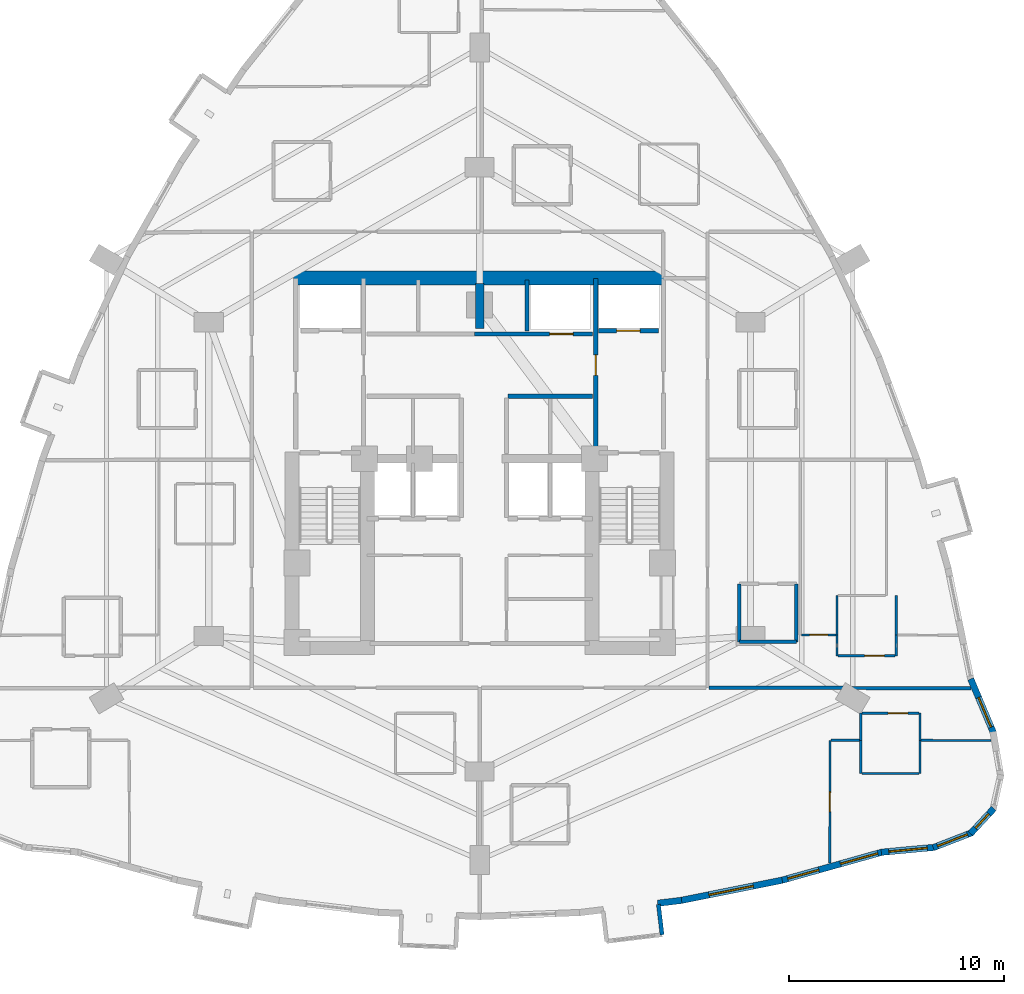
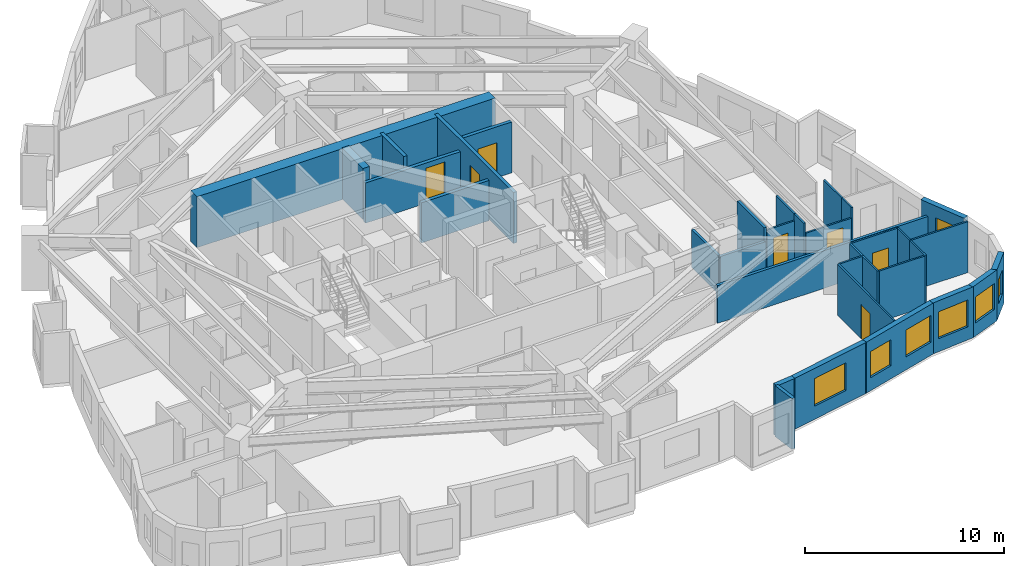
# One storey, part 9 of 13: 34 walls, 7 doors, 7 windows, 14 openings.
"""IFC4 building model written with IfcOpenShell, lengths in metres."""

from ifc_helpers import new_model, si_unit, direction, frame, frame_2d, origin, place, context, subcontext, project, spatial, rectangle, extrude, material, layer, layer_set, type_object, element, fill, save


model = new_model("IFC4")

# Units and contexts
model_context = context("Model", 3, precision=1e-05, world=origin(), true_north=direction((0.0, 1.0)))
body_context = subcontext(model_context, "Body", "Model", "MODEL_VIEW")
ifc_project = project(units=[si_unit("LENGTHUNIT", "METRE"), si_unit("AREAUNIT", "SQUARE_METRE"), si_unit("VOLUMEUNIT", "CUBIC_METRE"), si_unit("PLANEANGLEUNIT", "RADIAN"), si_unit("MASSUNIT", "GRAM", prefix="KILO")], contexts=[model_context])

# Site, building, storey
site_placement = place(None, origin())
site = spatial("IfcSite", under=ifc_project, at=site_placement, CompositionType="ELEMENT")
building_placement = place(site_placement, origin())
building = spatial("IfcBuilding", under=site, at=building_placement, Name="Miruveldt Soraemaru", CompositionType="ELEMENT")
storey_placement = place(building_placement, frame((0.0, 0.0, 73.39990234375)))
storey = spatial("IfcBuildingStorey", under=building, at=storey_placement, Name="L20", CompositionType="ELEMENT", Elevation=73.39990234375)

# Walls
ifc_material_1 = material(Name="White powder-coated aluminium EN AW-6060 T6", Category="aluminium")
ifc_layer_1 = layer(ifc_material_1, 0.18994140625, Name="White powder-coated aluminium EN AW-6060 T6", Category="aluminium")
ifc_layer_set_1 = layer_set([ifc_layer_1], Name="White powder-coated aluminium EN AW-6060 T6")
wall_type_1 = type_object("IfcWallType", Name="WALL-BAY-ALU190", PredefinedType="SOLIDWALL", material=ifc_layer_set_1)
wall_1_placement = place(storey_placement, frame((52.48681640625, 21.901123046875, 0.0), z_axis=(0.0, 0.0, 1.0), x_axis=(-0.119057405757, 0.992887372331, 0.0)))
element("IfcWall", 1, at=wall_1_placement, inside=storey, type_object=wall_type_1, Name="L20 Bay Window Side Cheek 5R", PredefinedType="SOLIDWALL", context=body_context, shape_type="SweptSolid", body=[
    extrude(rectangle(XDim=1.42529296875, YDim=0.18994140625, at=frame_2d((0.712646484375, 0.0))), origin(), (0.0, 0.0, 1.0), 3.125),
])
ifc_material_2 = material(Name="Concrete C70/85 (70 MPa)", Category="concrete")
ifc_layer_2 = layer(ifc_material_2, 0.5, Name="Concrete C70/85 (70 MPa)", Category="concrete")
ifc_layer_set_2 = layer_set([ifc_layer_2], Name="Concrete C70/85 (70 MPa)")
wall_type_2 = type_object("IfcWallType", Name="WALL-BW-500", PredefinedType="SHEAR", material=ifc_layer_set_2)
wall_2_placement = place(storey_placement, frame((44.0, 50.10009765625, 0.0), z_axis=(0.0, 0.0, 1.0), x_axis=(0.0, 1.0, 0.0)))
element("IfcWall", 2, at=wall_2_placement, inside=storey, type_object=wall_type_2, Name="L20 Core Buttress Shear Wall BN", PredefinedType="SHEAR", context=body_context, shape_type="SweptSolid", body=[
    extrude(rectangle(XDim=2.099853515625, YDim=0.39990234375, at=frame_2d((1.0498046875, 0.0))), origin(), (0.0, 0.0, 1.0), 3.125),
])
ifc_material_3 = material(Name="Concrete C80/95 (80 MPa)", Category="concrete")
ifc_layer_3 = layer(ifc_material_3, 0.64990234375, Name="Concrete C80/95 (80 MPa)", Category="concrete")
ifc_layer_set_3 = layer_set([ifc_layer_3], Name="Concrete C80/95 (80 MPa)")
wall_type_3 = type_object("IfcWallType", Name="WALL-CW-650", PredefinedType="SHEAR", material=ifc_layer_set_3)
wall_3_placement = place(storey_placement, frame((35.35009765625, 52.449951171875, 0.0), z_axis=(0.0, 0.0, 1.0), x_axis=(1.0, 0.0, 0.0)))
element("IfcWall", 3, at=wall_3_placement, inside=storey, type_object=wall_type_3, Name="L20 Central Core Shear Wall N", PredefinedType="SHEAR", context=body_context, shape_type="SweptSolid", body=[
    extrude(rectangle(XDim=17.2998046875, YDim=0.64990234375, at=frame_2d((8.64990234375, 0.0))), origin(), (0.0, 0.0, 1.0), 3.125),
])
ifc_material_4 = material(Name="Precast concrete C45/55 (45 MPa)", Category="concrete")
ifc_layer_4 = layer(ifc_material_4, 0.300048828125, Name="Precast concrete C45/55 (45 MPa)", Category="concrete")
ifc_layer_set_4 = layer_set([ifc_layer_4], Name="Precast concrete C45/55 (45 MPa)")
wall_type_4 = type_object("IfcWallType", Name="WALL-EXT-PC300", PredefinedType="SOLIDWALL", material=ifc_layer_set_4)
wall_4_placement = place(storey_placement, frame((52.28076171875, 23.3671875, 0.0), z_axis=(0.0, 0.0, 1.0), x_axis=(0.992888162429, 0.119050816495, 0.0)))
element("IfcWall", 4, at=wall_4_placement, inside=storey, type_object=wall_type_4, Name="L20 Precast Pier Wall 26B", PredefinedType="SOLIDWALL", context=body_context, shape_type="SweptSolid", body=[
    extrude(rectangle(XDim=1.121826171875, YDim=0.300048828125, at=frame_2d((0.56103515625, 0.0))), origin(), (0.0, 0.0, 1.0), 3.125),
])

# Wall, opening, window
wall_5_placement = place(storey_placement, frame((53.325439453125, 23.48974609375, 0.0), z_axis=(0.0, 0.0, 1.0), x_axis=(0.980580675691, 0.196116135138, 0.0)))
wall_5 = element("IfcWall", 5, at=wall_5_placement, inside=storey, type_object=wall_type_4, Name="L20 Precast Concrete Facade Wall 27", PredefinedType="SOLIDWALL", context=body_context, shape_type="SweptSolid", body=[
    extrude(rectangle(XDim=4.842529296875, YDim=0.300048828125, at=frame_2d((2.42138671875, 0.0))), origin(), (0.0, 0.0, 1.0), 3.125),
])
opening_1_placement = place(wall_5_placement, frame((1.37109375, 0.0, 0.800048828125)))
opening_1 = element("IfcOpeningElement", 6, at=opening_1_placement, cuts=wall_5, Name="Opening WN-1", PredefinedType="OPENING", context=body_context, shape_type="SweptSolid", body=[
    extrude(rectangle(XDim=2.10009765625, YDim=1.699951171875, at=frame_2d((1.050048828125, 0.85009765625))), frame((0.0, 0.16015625, 0.0), z_axis=(0.0, -1.0, 0.0), x_axis=(1.0, 0.0, 0.0)), (0.0, 0.0, 1.0), 0.320068359375),
])
ifc_material_5 = material(Name="Triple low-e insulated glazing", Category="glass")
window_type_1 = type_object("IfcWindowType", Name="WIN-PUNCH-2100x1700", PartitioningType="SINGLE_PANEL", PredefinedType="WINDOW", material=ifc_material_5)
window_1_placement = place(opening_1_placement, origin())
window_1 = element("IfcWindow", 7, at=window_1_placement, inside=storey, type_object=window_type_1, Name="L20 Punched Triple-Glazed Window 27.1", OverallHeight=1.699951171875, OverallWidth=2.10009765625, PartitioningType="SINGLE_PANEL", PredefinedType="WINDOW", context=body_context, shape_type="SweptSolid", body=[
    extrude(rectangle(XDim=2.10009765625, YDim=1.699951171875, at=frame_2d((1.050048828125, 0.85009765625))), frame((0.0, 0.030029296875, 0.0), z_axis=(0.0, -1.0, 0.0), x_axis=(1.0, 0.0, 0.0)), (0.0, 0.0, 1.0), 0.06005859375),
])
fill(opening_1, window_1)

# Wall, openings, windows
wall_6_placement = place(storey_placement, frame((58.006103515625, 24.423095703125, 0.0), z_axis=(0.0, 0.0, 1.0), x_axis=(0.962958876285, 0.269648294234, 0.0)))
wall_6 = element("IfcWall", 8, at=wall_6_placement, inside=storey, type_object=wall_type_4, Name="L20 Precast Concrete Facade Wall 28", PredefinedType="SOLIDWALL", context=body_context, shape_type="SweptSolid", body=[
    extrude(rectangle(XDim=4.929931640625, YDim=0.300048828125, at=frame_2d((2.46484375, 0.0))), origin(), (0.0, 0.0, 1.0), 3.125),
])
opening_2_placement = place(wall_6_placement, frame((0.3359375, 0.0, 0.800048828125)))
opening_2 = element("IfcOpeningElement", 9, at=opening_2_placement, cuts=wall_6, Name="Opening WN-3", PredefinedType="OPENING", context=body_context, shape_type="SweptSolid", body=[
    extrude(rectangle(XDim=1.5, YDim=1.60009765625, at=frame_2d((0.75, 0.800048828125))), frame((0.0, 0.16015625, 0.0), z_axis=(0.0, -1.0, 0.0), x_axis=(1.0, 0.0, 0.0)), (0.0, 0.0, 1.0), 0.320068359375),
])
opening_3_placement = place(wall_6_placement, frame((2.889892578125, 0.0, 0.800048828125)))
opening_3 = element("IfcOpeningElement", 10, at=opening_3_placement, cuts=wall_6, Name="Opening WN-2", PredefinedType="OPENING", context=body_context, shape_type="SweptSolid", body=[
    extrude(rectangle(XDim=1.800048828125, YDim=1.64990234375, at=frame_2d((0.89990234375, 0.824951171875))), frame((0.0, 0.16015625, 0.0), z_axis=(0.0, -1.0, 0.0), x_axis=(1.0, 0.0, 0.0)), (0.0, 0.0, 1.0), 0.320068359375),
])
window_type_2 = type_object("IfcWindowType", Name="WIN-PUNCH-1500x1600", PartitioningType="SINGLE_PANEL", PredefinedType="WINDOW", material=ifc_material_5)
window_2_placement = place(opening_2_placement, origin())
window_2 = element("IfcWindow", 11, at=window_2_placement, inside=storey, type_object=window_type_2, Name="L20 Punched Triple-Glazed Window 28.1", OverallHeight=1.60009765625, OverallWidth=1.5, PartitioningType="SINGLE_PANEL", PredefinedType="WINDOW", context=body_context, shape_type="SweptSolid", body=[
    extrude(rectangle(XDim=1.5, YDim=1.60009765625, at=frame_2d((0.75, 0.800048828125))), frame((0.0, 0.030029296875, 0.0), z_axis=(0.0, -1.0, 0.0), x_axis=(1.0, 0.0, 0.0)), (0.0, 0.0, 1.0), 0.06005859375),
])
fill(opening_2, window_2)
window_type_3 = type_object("IfcWindowType", Name="WIN-PUNCH-1800x1650", PartitioningType="SINGLE_PANEL", PredefinedType="WINDOW", material=ifc_material_5)
window_3_placement = place(opening_3_placement, origin())
window_3 = element("IfcWindow", 12, at=window_3_placement, inside=storey, type_object=window_type_3, Name="L20 Punched Triple-Glazed Window 28.2", OverallHeight=1.64990234375, OverallWidth=1.800048828125, PartitioningType="SINGLE_PANEL", PredefinedType="WINDOW", context=body_context, shape_type="SweptSolid", body=[
    extrude(rectangle(XDim=1.800048828125, YDim=1.64990234375, at=frame_2d((0.89990234375, 0.824951171875))), frame((0.0, 0.030029296875, 0.0), z_axis=(0.0, -1.0, 0.0), x_axis=(1.0, 0.0, 0.0)), (0.0, 0.0, 1.0), 0.06005859375),
])
fill(opening_3, window_3)

# Wall, opening, window
wall_7_placement = place(storey_placement, frame((62.684814453125, 25.73974609375, 0.0), z_axis=(0.0, 0.0, 1.0), x_axis=(0.995758957766, 0.09200053276, 0.0)))
wall_7 = element("IfcWall", 13, at=wall_7_placement, inside=storey, type_object=wall_type_4, Name="L20 Precast Concrete Facade Wall 29", PredefinedType="SOLIDWALL", context=body_context, shape_type="SweptSolid", body=[
    extrude(rectangle(XDim=2.494384765625, YDim=0.300048828125, at=frame_2d((1.2470703125, 0.0))), origin(), (0.0, 0.0, 1.0), 3.125),
])
opening_4_placement = place(wall_7_placement, frame((0.347900390625, 0.0, 0.800048828125)))
opening_4 = element("IfcOpeningElement", 14, at=opening_4_placement, cuts=wall_7, Name="Opening WN-2", PredefinedType="OPENING", context=body_context, shape_type="SweptSolid", body=[
    extrude(rectangle(XDim=1.800048828125, YDim=1.64990234375, at=frame_2d((0.89990234375, 0.824951171875))), frame((0.0, 0.16015625, 0.0), z_axis=(0.0, -1.0, 0.0), x_axis=(1.0, 0.0, 0.0)), (0.0, 0.0, 1.0), 0.320068359375),
])
window_4_placement = place(opening_4_placement, origin())
window_4 = element("IfcWindow", 15, at=window_4_placement, inside=storey, type_object=window_type_3, Name="L20 Punched Triple-Glazed Window 29.1", OverallHeight=1.64990234375, OverallWidth=1.800048828125, PartitioningType="SINGLE_PANEL", PredefinedType="WINDOW", context=body_context, shape_type="SweptSolid", body=[
    extrude(rectangle(XDim=1.800048828125, YDim=1.64990234375, at=frame_2d((0.89990234375, 0.824951171875))), frame((0.0, 0.030029296875, 0.0), z_axis=(0.0, -1.0, 0.0), x_axis=(1.0, 0.0, 0.0)), (0.0, 0.0, 1.0), 0.06005859375),
])
fill(opening_4, window_4)

wall_8_placement = place(storey_placement, frame((65.101318359375, 25.953369140625, 0.0), z_axis=(0.0, 0.0, 1.0), x_axis=(0.93228604446, 0.361721897741, 0.0)))
wall_8 = element("IfcWall", 16, at=wall_8_placement, inside=storey, type_object=wall_type_4, Name="L20 Precast Concrete Facade Wall 30", PredefinedType="SOLIDWALL", context=body_context, shape_type="SweptSolid", body=[
    extrude(rectangle(XDim=1.91943359375, YDim=0.300048828125, at=frame_2d((0.959716796875, 0.0))), origin(), (0.0, 0.0, 1.0), 3.125),
])
opening_5_placement = place(wall_8_placement, frame((0.2099609375, 0.0, 0.800048828125)))
opening_5 = element("IfcOpeningElement", 17, at=opening_5_placement, cuts=wall_8, Name="Opening WN-3", PredefinedType="OPENING", context=body_context, shape_type="SweptSolid", body=[
    extrude(rectangle(XDim=1.5, YDim=1.60009765625, at=frame_2d((0.75, 0.800048828125))), frame((0.0, 0.16015625, 0.0), z_axis=(0.0, -1.0, 0.0), x_axis=(1.0, 0.0, 0.0)), (0.0, 0.0, 1.0), 0.320068359375),
])
window_5_placement = place(opening_5_placement, origin())
window_5 = element("IfcWindow", 18, at=window_5_placement, inside=storey, type_object=window_type_2, Name="L20 Punched Triple-Glazed Window 30.1", OverallHeight=1.60009765625, OverallWidth=1.5, PartitioningType="SINGLE_PANEL", PredefinedType="WINDOW", context=body_context, shape_type="SweptSolid", body=[
    extrude(rectangle(XDim=1.5, YDim=1.60009765625, at=frame_2d((0.75, 0.800048828125))), frame((0.0, 0.030029296875, 0.0), z_axis=(0.0, -1.0, 0.0), x_axis=(1.0, 0.0, 0.0)), (0.0, 0.0, 1.0), 0.06005859375),
])
fill(opening_5, window_5)

wall_9_placement = place(storey_placement, frame((66.83447265625, 26.609375, 0.0), z_axis=(0.0, 0.0, 1.0), x_axis=(0.680145025321, 0.733077584251, 0.0)))
wall_9 = element("IfcWall", 19, at=wall_9_placement, inside=storey, type_object=wall_type_4, Name="L20 Precast Concrete Facade Wall 31", PredefinedType="SOLIDWALL", context=body_context, shape_type="SweptSolid", body=[
    extrude(rectangle(XDim=1.59130859375, YDim=0.300048828125, at=frame_2d((0.795654296875, 0.0))), origin(), (0.0, 0.0, 1.0), 3.125),
])
opening_6_placement = place(wall_9_placement, frame((0.344970703125, 0.0, 0.780029296875)))
opening_6 = element("IfcOpeningElement", 20, at=opening_6_placement, cuts=wall_9, Name="Opening WN-7", PredefinedType="OPENING", context=body_context, shape_type="SweptSolid", body=[
    extrude(rectangle(XDim=0.89990234375, YDim=1.5, at=frame_2d((0.449951171875, 0.75))), frame((0.0, 0.16015625, 0.0), z_axis=(0.0, -1.0, 0.0), x_axis=(1.0, 0.0, 0.0)), (0.0, 0.0, 1.0), 0.320068359375),
])
window_type_4 = type_object("IfcWindowType", Name="WIN-PUNCH-900x1500", PartitioningType="SINGLE_PANEL", PredefinedType="WINDOW", material=ifc_material_5)
window_6_placement = place(opening_6_placement, origin())
window_6 = element("IfcWindow", 21, at=window_6_placement, inside=storey, type_object=window_type_4, Name="L20 Punched Triple-Glazed Window 31.1", OverallHeight=1.5, OverallWidth=0.89990234375, PartitioningType="SINGLE_PANEL", PredefinedType="WINDOW", context=body_context, shape_type="SweptSolid", body=[
    extrude(rectangle(XDim=0.89990234375, YDim=1.5, at=frame_2d((0.449951171875, 0.75))), frame((0.0, 0.030029296875, 0.0), z_axis=(0.0, -1.0, 0.0), x_axis=(1.0, 0.0, 0.0)), (0.0, 0.0, 1.0), 0.06005859375),
])
fill(opening_6, window_6)

wall_10_placement = place(storey_placement, frame((67.906494140625, 31.2861328125, 0.0), z_axis=(0.0, 0.0, 1.0), x_axis=(-0.388672061396, 0.921376160257, 0.0)))
wall_10 = element("IfcWall", 22, at=wall_10_placement, inside=storey, type_object=wall_type_4, Name="L20 Precast Concrete Facade Wall 34", PredefinedType="SOLIDWALL", context=body_context, shape_type="SweptSolid", body=[
    extrude(rectangle(XDim=2.732421875, YDim=0.300048828125, at=frame_2d((1.3662109375, 0.0))), origin(), (0.0, 0.0, 1.0), 3.125),
])
opening_7_placement = place(wall_10_placement, frame((0.2939453125, 0.0, 0.800048828125)))
opening_7 = element("IfcOpeningElement", 23, at=opening_7_placement, cuts=wall_10, Name="Opening WN-3", PredefinedType="OPENING", context=body_context, shape_type="SweptSolid", body=[
    extrude(rectangle(XDim=1.5, YDim=1.60009765625, at=frame_2d((0.75, 0.800048828125))), frame((0.0, 0.16015625, 0.0), z_axis=(0.0, -1.0, 0.0), x_axis=(1.0, 0.0, 0.0)), (0.0, 0.0, 1.0), 0.320068359375),
])
window_7_placement = place(opening_7_placement, origin())
window_7 = element("IfcWindow", 24, at=window_7_placement, inside=storey, type_object=window_type_2, Name="L20 Punched Triple-Glazed Window 34.1", OverallHeight=1.60009765625, OverallWidth=1.5, PartitioningType="SINGLE_PANEL", PredefinedType="WINDOW", context=body_context, shape_type="SweptSolid", body=[
    extrude(rectangle(XDim=1.5, YDim=1.60009765625, at=frame_2d((0.75, 0.800048828125))), frame((0.0, 0.030029296875, 0.0), z_axis=(0.0, -1.0, 0.0), x_axis=(1.0, 0.0, 0.0)), (0.0, 0.0, 1.0), 0.06005859375),
])
fill(opening_7, window_7)

# Wall, opening, door
ifc_material_6 = material(Name="Gypsum plasterboard lining", Category="gypsum")
ifc_layer_5 = layer(ifc_material_6, 0.10009765625, Name="Gypsum plasterboard lining", Category="gypsum")
ifc_layer_set_5 = layer_set([ifc_layer_5], Name="Gypsum plasterboard lining")
wall_type_5 = type_object("IfcWallType", Name="WALL-INT-P100", PredefinedType="PARTITIONING", material=ifc_layer_set_5)
wall_11_placement = place(storey_placement, frame((60.282958984375, 25.23193359375, 0.0), z_axis=(0.0, 0.0, 1.0), x_axis=(0.004013459841, 0.999991946038, 0.0)))
wall_11 = element("IfcWall", 25, at=wall_11_placement, inside=storey, type_object=wall_type_5, Name="L20 Partition Wall 103", PredefinedType="PARTITIONING", context=body_context, shape_type="SweptSolid", body=[
    extrude(rectangle(XDim=5.718017578125, YDim=0.10009765625, at=frame_2d((2.85888671875, 0.0))), origin(), (0.0, 0.0, 1.0), 3.125),
])
opening_8_placement = place(wall_11_placement, frame((2.39892578125, 0.0, 0.0)))
opening_8 = element("IfcOpeningElement", 26, at=opening_8_placement, cuts=wall_11, Name="Opening D3A", PredefinedType="OPENING", context=body_context, shape_type="SweptSolid", body=[
    extrude(rectangle(XDim=0.919921875, YDim=2.10009765625, at=frame_2d((0.4599609375, 1.050048828125))), frame((0.0, 0.06005859375, 0.0), z_axis=(0.0, -1.0, 0.0), x_axis=(1.0, 0.0, 0.0)), (0.0, 0.0, 1.0), 0.1201171875),
])
ifc_material_7 = material(Name="Anodised aluminium EN AW-6063 T6", Category="aluminium")
door_type_1 = type_object("IfcDoorType", Name="DOOR-INT-920", OperationType="NOTDEFINED", PredefinedType="DOOR", material=ifc_material_7)
door_1_placement = place(opening_8_placement, origin())
door_1 = element("IfcDoor", 27, at=door_1_placement, inside=storey, type_object=door_type_1, Name="L20 Unit 2008 BD1 Door", OperationType="SINGLE_SWING_LEFT", OverallHeight=2.10009765625, OverallWidth=0.919921875, PredefinedType="DOOR", context=body_context, shape_type="SweptSolid", body=[
    extrude(rectangle(XDim=0.919921875, YDim=2.10009765625, at=frame_2d((0.4599609375, 1.050048828125))), frame((0.0, 0.02490234375, 0.0), z_axis=(0.0, -1.0, 0.0), x_axis=(1.0, 0.0, 0.0)), (0.0, 0.0, 1.0), 0.050048828125),
])
fill(opening_8, door_1)

wall_12_placement = place(storey_placement, frame((64.429931640625, 32.2099609375, 0.0), z_axis=(0.0, 0.0, 1.0), x_axis=(-1.0, 0.0, 0.0)))
wall_12 = element("IfcWall", 28, at=wall_12_placement, inside=storey, type_object=wall_type_5, Name="L20 Partition Wall 101", PredefinedType="PARTITIONING", context=body_context, shape_type="SweptSolid", body=[
    extrude(rectangle(XDim=2.64990234375, YDim=0.10009765625, at=frame_2d((1.324951171875, 0.0))), origin(), (0.0, 0.0, 1.0), 3.125),
])
opening_9_placement = place(wall_12_placement, frame((0.5048828125, 0.0, 0.0)))
opening_9 = element("IfcOpeningElement", 29, at=opening_9_placement, cuts=wall_12, Name="Opening D3A", PredefinedType="OPENING", context=body_context, shape_type="SweptSolid", body=[
    extrude(rectangle(XDim=0.919921875, YDim=2.10009765625, at=frame_2d((0.4599609375, 1.050048828125))), frame((0.0, 0.06005859375, 0.0), z_axis=(0.0, -1.0, 0.0), x_axis=(1.0, 0.0, 0.0)), (0.0, 0.0, 1.0), 0.1201171875),
])
door_2_placement = place(opening_9_placement, origin())
door_2 = element("IfcDoor", 30, at=door_2_placement, inside=storey, type_object=door_type_1, Name="L20 Unit 2008 KIT Door", OperationType="SINGLE_SWING_RIGHT", OverallHeight=2.10009765625, OverallWidth=0.919921875, PredefinedType="DOOR", context=body_context, shape_type="SweptSolid", body=[
    extrude(rectangle(XDim=0.919921875, YDim=2.10009765625, at=frame_2d((0.4599609375, 1.050048828125))), frame((0.0, 0.02490234375, 0.0), z_axis=(0.0, -1.0, 0.0), x_axis=(1.0, 0.0, 0.0)), (0.0, 0.0, 1.0), 0.050048828125),
])
fill(opening_9, door_2)

wall_13_placement = place(storey_placement, frame((60.679931640625, 34.8798828125, 0.0), z_axis=(0.0, 0.0, 1.0), x_axis=(1.0, 0.0, 0.0)))
wall_13 = element("IfcWall", 31, at=wall_13_placement, inside=storey, type_object=wall_type_5, Name="L20 Partition Wall 67", PredefinedType="PARTITIONING", context=body_context, shape_type="SweptSolid", body=[
    extrude(rectangle(XDim=2.650146484375, YDim=0.10009765625, at=frame_2d((1.3251953125, 0.0))), origin(), (0.0, 0.0, 1.0), 2.51318359375),
])
opening_10_placement = place(wall_13_placement, frame((1.22509765625, 0.0, 0.0)))
opening_10 = element("IfcOpeningElement", 32, at=opening_10_placement, cuts=wall_13, Name="Opening D3A", PredefinedType="OPENING", context=body_context, shape_type="SweptSolid", body=[
    extrude(rectangle(XDim=0.919921875, YDim=2.10009765625, at=frame_2d((0.4599609375, 1.050048828125))), frame((0.0, 0.06005859375, 0.0), z_axis=(0.0, -1.0, 0.0), x_axis=(1.0, 0.0, 0.0)), (0.0, 0.0, 1.0), 0.1201171875),
])
door_3_placement = place(opening_10_placement, origin())
door_3 = element("IfcDoor", 33, at=door_3_placement, inside=storey, type_object=door_type_1, Name="L20 Unit 2005 KIT Door", OperationType="SINGLE_SWING_LEFT", OverallHeight=2.10009765625, OverallWidth=0.919921875, PredefinedType="DOOR", context=body_context, shape_type="SweptSolid", body=[
    extrude(rectangle(XDim=0.919921875, YDim=2.10009765625, at=frame_2d((0.4599609375, 1.050048828125))), frame((0.0, 0.02490234375, 0.0), z_axis=(0.0, -1.0, 0.0), x_axis=(1.0, 0.0, 0.0)), (0.0, 0.0, 1.0), 0.050048828125),
])
fill(opening_10, door_3)

wall_14_placement = place(storey_placement, frame((60.580078125, 35.85009765625, 0.0), z_axis=(0.0, 0.0, 1.0), x_axis=(-1.0, 0.0, 0.0)))
wall_14 = element("IfcWall", 34, at=wall_14_placement, inside=storey, type_object=wall_type_5, Name="L20 Partition Wall 68", PredefinedType="PARTITIONING", context=body_context, shape_type="SweptSolid", body=[
    extrude(rectangle(XDim=1.614990234375, YDim=0.10009765625, at=frame_2d((0.8076171875, 0.0))), origin(), (0.0, 0.0, 1.0), 2.713134765625),
])
opening_11_placement = place(wall_14_placement, frame((0.376953125, 0.0, 0.0)))
opening_11 = element("IfcOpeningElement", 35, at=opening_11_placement, cuts=wall_14, Name="Opening FD3", PredefinedType="OPENING", context=body_context, shape_type="SweptSolid", body=[
    extrude(rectangle(XDim=0.85009765625, YDim=2.10009765625, at=frame_2d((0.425048828125, 1.050048828125))), frame((0.0, 0.06005859375, 0.0), z_axis=(0.0, -1.0, 0.0), x_axis=(1.0, 0.0, 0.0)), (0.0, 0.0, 1.0), 0.1201171875),
])
door_type_2 = type_object("IfcDoorType", Name="DOOR-FD3-850", OperationType="NOTDEFINED", PredefinedType="DOOR", material=ifc_material_7)
door_4_placement = place(opening_11_placement, origin())
door_4 = element("IfcDoor", 36, at=door_4_placement, inside=storey, type_object=door_type_2, Name="L20 Unit 2005 BD1 Door", OperationType="SINGLE_SWING_RIGHT", OverallHeight=2.10009765625, OverallWidth=0.85009765625, PredefinedType="DOOR", context=body_context, shape_type="SweptSolid", body=[
    extrude(rectangle(XDim=0.85009765625, YDim=2.10009765625, at=frame_2d((0.425048828125, 1.050048828125))), frame((0.0, 0.02490234375, 0.0), z_axis=(0.0, -1.0, 0.0), x_axis=(1.0, 0.0, 0.0)), (0.0, 0.0, 1.0), 0.050048828125),
])
fill(opening_11, door_4)

# Walls
wall_15_placement = place(storey_placement, frame((64.530029296875, 30.949951171875, 0.0), z_axis=(0.0, 0.0, 1.0), x_axis=(0.999990894665, -0.004267386464, 0.0)))
element("IfcWall", 37, at=wall_15_placement, inside=storey, type_object=wall_type_5, Name="L20 Partition Wall 105", PredefinedType="PARTITIONING", context=body_context, shape_type="SweptSolid", body=[
    extrude(rectangle(XDim=3.260986328125, YDim=0.10009765625, at=frame_2d((1.63037109375, 0.0))), origin(), (0.0, 0.0, 1.0), 3.125),
])
wall_16_placement = place(storey_placement, frame((61.780029296875, 29.409912109375, 0.0), z_axis=(0.0, 0.0, 1.0), x_axis=(1.0, 0.0, 0.0)))
element("IfcWall", 38, at=wall_16_placement, inside=storey, type_object=wall_type_5, Name="L20 Partition Wall 107", PredefinedType="PARTITIONING", context=body_context, shape_type="SweptSolid", body=[
    extrude(rectangle(XDim=2.64990234375, YDim=0.10009765625, at=frame_2d((1.324951171875, 0.0))), origin(), (0.0, 0.0, 1.0), 3.125),
])
for number, where, z_axis, x_axis, name in (
    (39, (60.6298828125, 37.679931640625, 0.0), (0.0, 0.0, 1.0), (0.0, -1.0, 0.0), "L20 Partition Wall 73"),
    (40, (63.3798828125, 35.85009765625, 0.0), (0.0, 0.0, 1.0), (0.0, 1.0, 0.0), "L20 Partition Wall 74"),
):
    element("IfcWall", number, at=place(storey_placement, frame(where, z_axis=z_axis, x_axis=x_axis)), inside=storey, type_object=wall_type_5, Name=name, PredefinedType="PARTITIONING", context=body_context, shape_type="SweptSolid", body=[
        extrude(rectangle(XDim=1.829833984375, YDim=0.10009765625, at=frame_2d((0.9150390625, 0.0))), origin(), (0.0, 0.0, 1.0), 3.125),
    ])
for number, where, z_axis, x_axis, name in (
    (41, (61.72998046875, 30.949951171875, 0.0), (0.0, 0.0, 1.0), (0.0, -1.0, 0.0), "L20 Partition Wall 106"),
    (42, (64.47998046875, 29.409912109375, 0.0), (0.0, 0.0, 1.0), (0.0, 1.0, 0.0), "L20 Partition Wall 108"),
):
    element("IfcWall", number, at=place(storey_placement, frame(where, z_axis=z_axis, x_axis=x_axis)), inside=storey, type_object=wall_type_5, Name=name, PredefinedType="PARTITIONING", context=body_context, shape_type="SweptSolid", body=[
        extrude(rectangle(XDim=1.5400390625, YDim=0.10009765625, at=frame_2d((0.77001953125, 0.0))), origin(), (0.0, 0.0, 1.0), 3.125),
    ])
for number, where, z_axis, x_axis, name in (
    (43, (64.47998046875, 30.949951171875, 0.0), (0.0, 0.0, 1.0), (0.0, 1.0, 0.0), "L20 Partition Wall 100"),
    (44, (61.72998046875, 32.2099609375, 0.0), (0.0, 0.0, 1.0), (0.0, -1.0, 0.0), "L20 Partition Wall 102"),
):
    element("IfcWall", number, at=place(storey_placement, frame(where, z_axis=z_axis, x_axis=x_axis)), inside=storey, type_object=wall_type_5, Name=name, PredefinedType="PARTITIONING", context=body_context, shape_type="SweptSolid", body=[
        extrude(rectangle(XDim=1.260009765625, YDim=0.10009765625, at=frame_2d((0.6298828125, 0.0))), origin(), (0.0, 0.0, 1.0), 3.125),
    ])
wall_17_placement = place(storey_placement, frame((60.35595703125, 30.949951171875, 0.0), z_axis=(0.0, 0.0, 1.0), x_axis=(1.0, 0.0, 0.0)))
element("IfcWall", 45, at=wall_17_placement, inside=storey, type_object=wall_type_5, Name="L20 Partition Wall 104", PredefinedType="PARTITIONING", context=body_context, shape_type="SweptSolid", body=[
    extrude(rectangle(XDim=1.323974609375, YDim=0.10009765625, at=frame_2d((0.662109375, 0.0))), origin(), (0.0, 0.0, 1.0), 3.125),
])
for number, where, z_axis, x_axis, name in (
    (46, (63.3798828125, 34.8798828125, 0.0), (0.0, 0.0, 1.0), (0.0, 1.0, 0.0), "L20 Partition Wall 65"),
    (47, (60.6298828125, 35.85009765625, 0.0), (0.0, 0.0, 1.0), (0.0, -1.0, 0.0), "L20 Partition Wall 66"),
):
    element("IfcWall", number, at=place(storey_placement, frame(where, z_axis=z_axis, x_axis=x_axis)), inside=storey, type_object=wall_type_5, Name=name, PredefinedType="PARTITIONING", context=body_context, shape_type="SweptSolid", body=[
        extrude(rectangle(XDim=0.97021484375, YDim=0.10009765625, at=frame_2d((0.485107421875, 0.0))), origin(), (0.0, 0.0, 1.0), 3.125),
    ])
ifc_layer_6 = layer(ifc_material_6, 0.14990234375, Name="Gypsum plasterboard lining", Category="gypsum")
ifc_layer_set_6 = layer_set([ifc_layer_6], Name="Gypsum plasterboard lining")
wall_type_6 = type_object("IfcWallType", Name="WALL-INT-PLUMB", PredefinedType="PLUMBINGWALL", material=ifc_layer_set_6)
wall_18_placement = place(storey_placement, frame((58.72998046875, 35.530029296875, 0.0), z_axis=(0.0, 0.0, 1.0), x_axis=(0.0, 1.0, 0.0)))
element("IfcWall", 48, at=wall_18_placement, inside=storey, type_object=wall_type_6, Name="L20 Partition Wall 61", PredefinedType="PLUMBINGWALL", context=body_context, shape_type="SweptSolid", body=[
    extrude(rectangle(XDim=2.699951171875, YDim=0.14990234375, at=frame_2d((1.35009765625, 0.0))), origin(), (0.0, 0.0, 1.0), 3.125),
])
wall_19_placement = place(storey_placement, frame((56.080078125, 38.22998046875, 0.0), z_axis=(0.0, 0.0, 1.0), x_axis=(0.0, -1.0, 0.0)))
element("IfcWall", 49, at=wall_19_placement, inside=storey, type_object=wall_type_6, Name="L20 Partition Wall 63", PredefinedType="PLUMBINGWALL", context=body_context, shape_type="SweptSolid", body=[
    extrude(rectangle(XDim=2.699951171875, YDim=0.14990234375, at=frame_2d((1.35009765625, 0.0))), origin(), (0.0, 0.0, 1.0), 2.31298828125),
])
wall_20_placement = place(storey_placement, frame((56.080078125, 35.530029296875, 0.0), z_axis=(0.0, 0.0, 1.0), x_axis=(1.0, 0.0, 0.0)))
element("IfcWall", 50, at=wall_20_placement, inside=storey, type_object=wall_type_6, Name="L20 Partition Wall 64", PredefinedType="PLUMBINGWALL", context=body_context, shape_type="SweptSolid", body=[
    extrude(rectangle(XDim=2.64990234375, YDim=0.14990234375, at=frame_2d((1.324951171875, 0.0))), origin(), (0.0, 0.0, 1.0), 2.31298828125),
])
ifc_material_8 = material(Name="Concrete C40/50 (40 MPa)", Category="concrete")
ifc_layer_7 = layer(ifc_material_8, 0.159912109375, Name="Concrete C40/50 (40 MPa)", Category="concrete")
ifc_layer_set_7 = layer_set([ifc_layer_7], Name="Concrete C40/50 (40 MPa)")
wall_type_7 = type_object("IfcWallType", Name="WALL-INT-RC160", PredefinedType="SOLIDWALL", material=ifc_layer_set_7)
wall_21_placement = place(storey_placement, frame((54.679931640625, 33.39990234375, 0.0), z_axis=(0.0, 0.0, 1.0), x_axis=(0.999996332904, -0.002708168769, 0.0)))
element("IfcWall", 51, at=wall_21_placement, inside=storey, type_object=wall_type_7, Name="L20 Partition Wall 71", PredefinedType="SOLIDWALL", context=body_context, shape_type="SweptSolid", body=[
    extrude(rectangle(XDim=12.170166015625, YDim=0.159912109375, at=frame_2d((6.0849609375, 0.0))), origin(), (0.0, 0.0, 1.0), 2.31298828125),
])

# Wall, opening, door
ifc_layer_8 = layer(ifc_material_8, 0.199951171875, Name="Concrete C40/50 (40 MPa)", Category="concrete")
ifc_layer_set_8 = layer_set([ifc_layer_8], Name="Concrete C40/50 (40 MPa)")
wall_type_8 = type_object("IfcWallType", Name="WALL-INT-RC200", PredefinedType="SOLIDWALL", material=ifc_layer_set_8)
wall_22_placement = place(storey_placement, frame((49.39990234375, 44.5, 0.0), z_axis=(0.0, 0.0, 1.0), x_axis=(0.0, 1.0, 0.0)))
wall_22 = element("IfcWall", 52, at=wall_22_placement, inside=storey, type_object=wall_type_8, Name="L20 Core Compartment Wall FFE-IN", PredefinedType="SOLIDWALL", context=body_context, shape_type="SweptSolid", body=[
    extrude(rectangle(XDim=7.919921875, YDim=0.199951171875, at=frame_2d((3.9599609375, 0.0))), origin(), (0.0, 0.0, 1.0), 3.125),
])
opening_12_placement = place(wall_22_placement, frame((3.425048828125, 0.0, 0.0)))
opening_12 = element("IfcOpeningElement", 53, at=opening_12_placement, cuts=wall_22, Name="Opening FD2", PredefinedType="OPENING", context=body_context, shape_type="SweptSolid", body=[
    extrude(rectangle(XDim=0.949951171875, YDim=2.14990234375, at=frame_2d((0.47509765625, 1.074951171875))), frame((0.0, 0.10986328125, 0.0), z_axis=(0.0, -1.0, 0.0), x_axis=(1.0, 0.0, 0.0)), (0.0, 0.0, 1.0), 0.219970703125),
])
door_type_3 = type_object("IfcDoorType", Name="DOOR-FD2-950", OperationType="NOTDEFINED", PredefinedType="DOOR", material=ifc_material_7)
door_5_placement = place(opening_12_placement, origin())
door_5 = element("IfcDoor", 54, at=door_5_placement, inside=storey, type_object=door_type_3, Name="L20 Lift Lobby to East Fire Lobby Door", OperationType="SINGLE_SWING_LEFT", OverallHeight=2.14990234375, OverallWidth=0.949951171875, PredefinedType="DOOR", context=body_context, shape_type="SweptSolid", body=[
    extrude(rectangle(XDim=0.949951171875, YDim=2.14990234375, at=frame_2d((0.47509765625, 1.074951171875))), frame((0.0, 0.02490234375, 0.0), z_axis=(0.0, -1.0, 0.0), x_axis=(1.0, 0.0, 0.0)), (0.0, 0.0, 1.0), 0.050048828125),
])
fill(opening_12, door_5)

wall_23_placement = place(storey_placement, frame((43.75, 49.85009765625, 0.0), z_axis=(0.0, 0.0, 1.0), x_axis=(1.0, 0.0, 0.0)))
wall_23 = element("IfcWall", 55, at=wall_23_placement, inside=storey, type_object=wall_type_8, Name="L20 Core Compartment Wall ROWA-SE", PredefinedType="SOLIDWALL", context=body_context, shape_type="SweptSolid", body=[
    extrude(rectangle(XDim=5.5, YDim=0.199951171875, at=frame_2d((2.75, 0.0))), origin(), (0.0, 0.0, 1.0), 2.463134765625),
])
opening_13_placement = place(wall_23_placement, frame((3.5, 0.0, 0.0)))
opening_13 = element("IfcOpeningElement", 56, at=opening_13_placement, cuts=wall_23, Name="Opening LD2", PredefinedType="OPENING", context=body_context, shape_type="SweptSolid", body=[
    extrude(rectangle(XDim=1.10009765625, YDim=2.14990234375, at=frame_2d((0.550048828125, 1.074951171875))), frame((0.0, 0.10986328125, 0.0), z_axis=(0.0, -1.0, 0.0), x_axis=(1.0, 0.0, 0.0)), (0.0, 0.0, 1.0), 0.219970703125),
])
door_type_4 = type_object("IfcDoorType", Name="DOOR-LD2-1100", OperationType="SLIDING_TO_LEFT", PredefinedType="DOOR", material=ifc_material_7)
door_6_placement = place(opening_13_placement, origin())
door_6 = element("IfcDoor", 57, at=door_6_placement, inside=storey, type_object=door_type_4, Name="L20 SL-1 Landing Door", OperationType="SLIDING_TO_LEFT", OverallHeight=2.14990234375, OverallWidth=1.10009765625, PredefinedType="DOOR", context=body_context, shape_type="SweptSolid", body=[
    extrude(rectangle(XDim=1.10009765625, YDim=2.14990234375, at=frame_2d((0.550048828125, 1.074951171875))), frame((0.0, 0.02490234375, 0.0), z_axis=(0.0, -1.0, 0.0), x_axis=(1.0, 0.0, 0.0)), (0.0, 0.0, 1.0), 0.050048828125),
])
fill(opening_13, door_6)

wall_24_placement = place(storey_placement, frame((49.52001953125, 50.0, 0.0), z_axis=(0.0, 0.0, 1.0), x_axis=(1.0, 0.0, 0.0)))
wall_24 = element("IfcWall", 58, at=wall_24_placement, inside=storey, type_object=wall_type_8, Name="L20 Core Compartment Wall FFL2-S", PredefinedType="SOLIDWALL", context=body_context, shape_type="SweptSolid", body=[
    extrude(rectangle(XDim=2.800048828125, YDim=0.199951171875, at=frame_2d((1.39990234375, 0.0))), origin(), (0.0, 0.0, 1.0), 3.125),
])
opening_14_placement = place(wall_24_placement, frame((0.85009765625, 0.0, 0.0)))
opening_14 = element("IfcOpeningElement", 59, at=opening_14_placement, cuts=wall_24, Name="Opening LD2", PredefinedType="OPENING", context=body_context, shape_type="SweptSolid", body=[
    extrude(rectangle(XDim=1.10009765625, YDim=2.14990234375, at=frame_2d((0.550048828125, 1.074951171875))), frame((0.0, 0.10986328125, 0.0), z_axis=(0.0, -1.0, 0.0), x_axis=(1.0, 0.0, 0.0)), (0.0, 0.0, 1.0), 0.219970703125),
])
door_7_placement = place(opening_14_placement, origin())
door_7 = element("IfcDoor", 60, at=door_7_placement, inside=storey, type_object=door_type_4, Name="L20 FFL-2 Landing Door", OperationType="SLIDING_TO_LEFT", OverallHeight=2.14990234375, OverallWidth=1.10009765625, PredefinedType="DOOR", context=body_context, shape_type="SweptSolid", body=[
    extrude(rectangle(XDim=1.10009765625, YDim=2.14990234375, at=frame_2d((0.550048828125, 1.074951171875))), frame((0.0, 0.02490234375, 0.0), z_axis=(0.0, -1.0, 0.0), x_axis=(1.0, 0.0, 0.0)), (0.0, 0.0, 1.0), 0.050048828125),
])
fill(opening_14, door_7)

# Walls
wall_25_placement = place(storey_placement, frame((45.320068359375, 46.949951171875, 0.0), z_axis=(0.0, 0.0, 1.0), x_axis=(1.0, 0.0, 0.0)))
element("IfcWall", 61, at=wall_25_placement, inside=storey, type_object=wall_type_8, Name="L20 Core Compartment Wall MBE-N", PredefinedType="SOLIDWALL", context=body_context, shape_type="SweptSolid", body=[
    extrude(rectangle(XDim=3.929931640625, YDim=0.199951171875, at=frame_2d((1.96484375, 0.0))), origin(), (0.0, 0.0, 1.0), 2.463134765625),
])
wall_26_placement = place(storey_placement, frame((46.199951171875, 49.97998046875, 0.0), z_axis=(0.0, 0.0, 1.0), x_axis=(0.0, 1.0, 0.0)))
element("IfcWall", 62, at=wall_26_placement, inside=storey, type_object=wall_type_8, Name="L20 Core Compartment Wall PLH-SL-DIV", PredefinedType="SOLIDWALL", context=body_context, shape_type="SweptSolid", body=[
    extrude(rectangle(XDim=2.3701171875, YDim=0.199951171875, at=frame_2d((1.18505859375, 0.0))), origin(), (0.0, 0.0, 1.0), 3.125),
])

save(model, "model.ifc")
